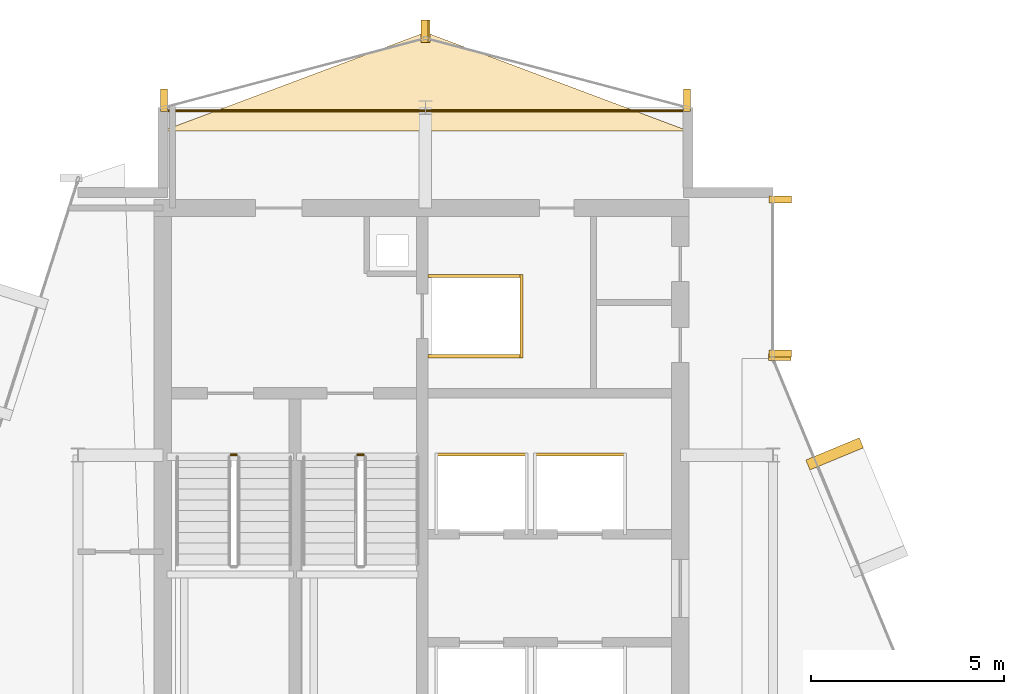
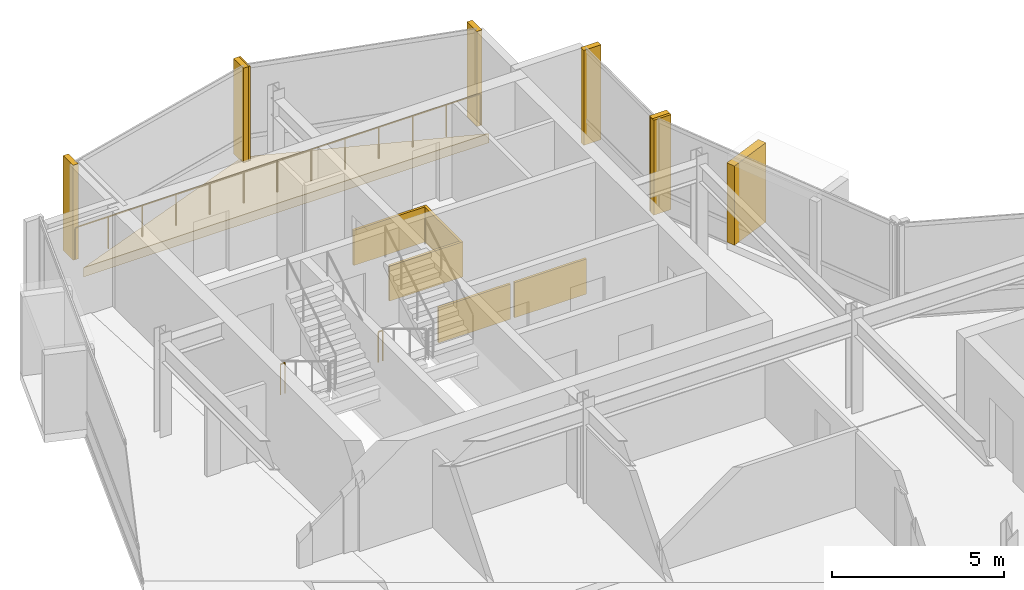
# One storey, part 19 of 19: 14 coverings, 3 railings.
"""IFC4 building model written with IfcOpenShell, lengths in metres."""

import ifcopenshell
import ifcopenshell.guid

model = None  # the IFC model being written
_history = None  # IfcOwnerHistory: only IFC2X3 demands one
_inside = {}  # id of a spatial element -> (the spatial element, [elements in it])
_under = {}  # id of a project, library or spatial element -> (it, [spatial elements below it])
_declared = {}  # id of a project -> (the project, [libraries it declares])
_typed = {}  # id of a type object -> (the type object, [elements of that type])
_made_of = {}  # id of a material, layer set ... -> (it, [elements and type objects made of it])


def new_model(schema):
    """Start an empty IFC model of exactly this schema.

    Asked for "IFC4X3", IfcOpenShell would pick the latest addendum, in which some entities
    have other attributes; the version numbers below select the first issue.
    IFC2X3 requires an IfcOwnerHistory on every rooted entity: one is made here for all.
    """
    global model, _history
    if schema == "IFC4X3":
        model = ifcopenshell.file(schema_version=(4, 3, 0, 0))
    else:
        model = ifcopenshell.file(schema=schema)
    _inside.clear()
    _under.clear()
    _declared.clear()
    _typed.clear()
    _made_of.clear()
    _history = None
    if model.schema == "IFC2X3":
        org = make("IfcOrganization", Name="unknown")
        user = make(
            "IfcPersonAndOrganization",
            ThePerson=make("IfcPerson", FamilyName="unknown"),
            TheOrganization=org,
        )
        app = make(
            "IfcApplication",
            ApplicationDeveloper=org,
            Version="unknown",
            ApplicationFullName="unknown",
            ApplicationIdentifier="unknown",
        )
        _history = make(
            "IfcOwnerHistory",
            OwningUser=user,
            OwningApplication=app,
            ChangeAction="ADDED",
            CreationDate=0,
        )
    return model


def make(cls, **values):
    """One entity of the class cls with the attributes given. An attribute that is None is left unset."""
    return model.create_entity(
        cls, **{name: value for name, value in values.items() if value is not None}
    )


def rooted(cls, **values):
    """An entity with a GlobalId (a new one), such as an element, a storey or a relation."""
    return make(cls, GlobalId=ifcopenshell.guid.new(), OwnerHistory=_history, **values)


def si_unit(unit_type, name, prefix=None):
    """IfcSIUnit, for example si_unit("LENGTHUNIT", "METRE", prefix="MILLI")."""
    return make("IfcSIUnit", UnitType=unit_type, Prefix=prefix, Name=name)


def assignment(units):
    """IfcUnitAssignment: the units of a project."""
    return None if units is None else make("IfcUnitAssignment", Units=units)


def point(xyz):
    """IfcCartesianPoint."""
    return None if xyz is None else make("IfcCartesianPoint", Coordinates=xyz)


def direction(xyz):
    """IfcDirection."""
    return None if xyz is None else make("IfcDirection", DirectionRatios=xyz)


def frame(location, z_axis=None, x_axis=None):
    """IfcAxis2Placement3D, a coordinate frame: its origin and axes. An axis left out is left unset."""
    return make(
        "IfcAxis2Placement3D",
        Location=point(location),
        Axis=direction(z_axis),
        RefDirection=direction(x_axis),
    )


def frame_2d(location, x_axis=None):
    """IfcAxis2Placement2D, a coordinate frame in the plane: its origin and x axis."""
    return make(
        "IfcAxis2Placement2D", Location=point(location), RefDirection=direction(x_axis)
    )


def origin():
    """The frame at (0, 0, 0) with its axes left unset."""
    return frame((0.0, 0.0, 0.0))


def origin_2d():
    """The frame at (0, 0) in the plane with its x axis left unset."""
    return frame_2d((0.0, 0.0))


def place(relative_to, where):
    """IfcLocalPlacement: puts the frame where relative to a parent placement (None: the world)."""
    return make(
        "IfcLocalPlacement", PlacementRelTo=relative_to, RelativePlacement=where
    )


def context(
    kind, dimensions, precision=None, world=None, true_north=None, identifier=None
):
    """IfcGeometricRepresentationContext, for example the 3D "Model" context."""
    return make(
        "IfcGeometricRepresentationContext",
        ContextIdentifier=identifier,
        ContextType=kind,
        CoordinateSpaceDimension=dimensions,
        Precision=precision,
        WorldCoordinateSystem=world,
        TrueNorth=true_north,
    )


def subcontext(parent, identifier, kind, view, scale=None):
    """IfcGeometricRepresentationSubContext, for example "Body" below "Model"."""
    return make(
        "IfcGeometricRepresentationSubContext",
        ContextIdentifier=identifier,
        ContextType=kind,
        ParentContext=parent,
        TargetScale=scale,
        TargetView=view,
    )


def project(units=None, contexts=None):
    """IfcProject with its units and contexts."""
    return rooted(
        "IfcProject",
        Name="project",
        RepresentationContexts=contexts,
        UnitsInContext=assignment(units),
    )


def spatial(cls, under=None, at=None, **own):
    """A site, building, storey or space (cls), placed at a placement, below another one or the project."""
    s = rooted(cls, ObjectPlacement=at, **own)
    if under is not None:
        _under.setdefault(under.id(), (under, []))[1].append(s)
    return s


def polyline(points):
    """IfcPolyline through the points."""
    return make("IfcPolyline", Points=[point(p) for p in points])


def profile(cls, at=None, kind="AREA", **sizes):
    """A parametric profile (cls). Its sizes go by their IFC names, for example OverallWidth=200.0."""
    return make(cls, ProfileType=kind, Position=at, **sizes)


def rectangle(**sizes):
    """IfcRectangleProfileDef."""
    return profile("IfcRectangleProfileDef", **sizes)


def circle(**sizes):
    """IfcCircleProfileDef."""
    return profile("IfcCircleProfileDef", **sizes)


def outline(outer, holes=None, kind="AREA"):
    """IfcArbitraryClosedProfileDef: a profile drawn as a closed curve; with holes, ...WithVoids."""
    if holes is None:
        return make("IfcArbitraryClosedProfileDef", ProfileType=kind, OuterCurve=outer)
    return make(
        "IfcArbitraryProfileDefWithVoids",
        ProfileType=kind,
        OuterCurve=outer,
        InnerCurves=holes,
    )


def extrude(swept, where, along, depth):
    """IfcExtrudedAreaSolid: the profile swept, set in the frame where, extruded along a direction by depth."""
    return make(
        "IfcExtrudedAreaSolid",
        SweptArea=swept,
        Position=where,
        ExtrudedDirection=direction(along),
        Depth=depth,
    )


def shape(context_of_items, identifier, shape_type, items):
    """IfcShapeRepresentation: the items that make up one representation, for example the "Body"."""
    return make(
        "IfcShapeRepresentation",
        ContextOfItems=context_of_items,
        RepresentationIdentifier=identifier,
        RepresentationType=shape_type,
        Items=items,
    )


def material(Name=None, Category=None):
    """IfcMaterial."""
    return make("IfcMaterial", Name=Name, Category=Category)


def layer(
    of_material, thickness, ventilated=None, Name=None, Category=None, Priority=None
):
    """IfcMaterialLayer: one layer of a wall or slab, of a material (None: an air gap)."""
    return make(
        "IfcMaterialLayer",
        Material=of_material,
        LayerThickness=thickness,
        IsVentilated=ventilated,
        Name=Name,
        Category=Category,
        Priority=Priority,
    )


def layer_set(layers, Name=None):
    """IfcMaterialLayerSet."""
    return make("IfcMaterialLayerSet", MaterialLayers=layers, LayerSetName=Name)


def made_of(thing, what):
    """Note that an element or type object is made of a material, layer set ...; save() writes the relation."""
    if what is not None:
        _made_of.setdefault(what.id(), (what, []))[1].append(thing)
    return thing


def type_object(cls, material=None, **own):
    """A type object (cls), such as IfcWallType, which elements share."""
    return made_of(rooted(cls, **own), material)


def element(
    cls,
    number,
    at=None,
    inside=None,
    cuts=None,
    type_object=None,
    material=None,
    context=None,
    identifier="Body",
    shape_type=None,
    held_by="IfcProductDefinitionShape",
    body=None,
    shapes=None,
    **own,
):
    """One element of the class cls, such as IfcWall. Its Tag is "e" and its number.

    at: its placement. inside: the storey or other place that contains it. cuts: it is an
    opening in that element (IfcRelVoidsElement). A single representation is given by context,
    identifier, shape_type and body (its items); several are given by shapes. held_by: the class
    of the entity that holds the representations. save() writes the other relations.
    """
    e = rooted(cls, Tag="e%d" % number, ObjectPlacement=at, **own)
    if body is not None:
        shapes = [shape(context, identifier, shape_type, body)]
    if shapes is not None:
        e.Representation = make(held_by, Representations=shapes)
    if inside is not None:
        _inside.setdefault(inside.id(), (inside, []))[1].append(e)
    if cuts is not None:
        rooted(
            "IfcRelVoidsElement", RelatingBuildingElement=cuts, RelatedOpeningElement=e
        )
    if type_object is not None:
        _typed.setdefault(type_object.id(), (type_object, []))[1].append(e)
    return made_of(e, material)


def aggregate(whole, parts):
    """IfcRelAggregates: a whole, such as a stair, and the parts it consists of."""
    return rooted("IfcRelAggregates", RelatingObject=whole, RelatedObjects=parts)


def save(model, path):
    """Write the relations noted so far, then the file.

    IfcRelAggregates (storeys below a building ...), IfcRelContainedInSpatialStructure (elements
    in a storey), IfcRelDefinesByType, IfcRelAssociatesMaterial and IfcRelDeclares: one each for
    every whole, place, type object, material and project.
    """
    for whole, parts in _under.values():
        aggregate(whole, parts)
    for where, things in _inside.values():
        rooted(
            "IfcRelContainedInSpatialStructure",
            RelatedElements=things,
            RelatingStructure=where,
        )
    for kind, things in _typed.values():
        rooted("IfcRelDefinesByType", RelatedObjects=things, RelatingType=kind)
    for what, things in _made_of.values():
        rooted("IfcRelAssociatesMaterial", RelatedObjects=things, RelatingMaterial=what)
    for by, libraries in _declared.values():
        rooted("IfcRelDeclares", RelatingContext=by, RelatedDefinitions=libraries)
    model.write(path)


model = new_model("IFC4")

# Units and contexts
model_context = context("Model", 3, precision=1e-05, world=origin(), true_north=direction((0.0, 1.0)))
body_context = subcontext(model_context, "Body", "Model", "MODEL_VIEW")
ifc_project = project(units=[si_unit("LENGTHUNIT", "METRE"), si_unit("AREAUNIT", "SQUARE_METRE"), si_unit("VOLUMEUNIT", "CUBIC_METRE"), si_unit("PLANEANGLEUNIT", "RADIAN"), si_unit("MASSUNIT", "GRAM", prefix="KILO")], contexts=[model_context])

# Site, building, storey
site_placement = place(None, origin())
site = spatial("IfcSite", under=ifc_project, at=site_placement, CompositionType="ELEMENT")
building_placement = place(site_placement, origin())
building = spatial("IfcBuilding", under=site, at=building_placement, Name="Solvaryn Broadcast Tower", CompositionType="ELEMENT")
storey_placement = place(building_placement, frame((0.0, 0.0, 293.699951171875)))
storey = spatial("IfcBuildingStorey", under=building, at=storey_placement, Name="L74", CompositionType="ELEMENT", Elevation=293.699951171875)

# Coverings
ifc_material_1 = material(Name="Fire-Rated Gypsum Shaftwall Liner", Category="concrete")
ifc_layer_1 = layer(ifc_material_1, 0.080078125)
ifc_layer_set_1 = layer_set([ifc_layer_1], Name="CV-SHAFT-LINER")
covering_type_1 = type_object("IfcCoveringType", Name="CV-SHAFT-LINER", PredefinedType="CLADDING", material=ifc_layer_set_1)
for number, where, z_axis, x_axis, name in (
    (1, (19.300048828125, 40.639892578125, 0.0), (0.0, 0.0, 1.0), (1.0, 0.0, 0.0), "L74 FL1 Hoistway Shaft Liner North"),
    (2, (19.300048828125, 38.56005859375, 0.0), (0.0, 0.0, 1.0), (1.0, 0.0, 0.0), "L74 FL1 Hoistway Shaft Liner South"),
):
    element("IfcCovering", number, at=place(storey_placement, frame(where, z_axis=z_axis, x_axis=x_axis)), inside=storey, type_object=covering_type_1, Name=name, PredefinedType="CLADDING", context=body_context, shape_type="SweptSolid", body=[
        extrude(rectangle(XDim=2.4599609375, YDim=0.080078125, at=origin_2d()), origin(), (0.0, 0.0, 1.0), 1.25),
    ])
covering_1_placement = place(storey_placement, frame((20.489990234375, 39.60009765625, 0.0), z_axis=(0.0, 0.0, 1.0), x_axis=(1.0, 0.0, 0.0)))
element("IfcCovering", 3, at=covering_1_placement, inside=storey, type_object=covering_type_1, Name="L74 FL1 Hoistway Shaft Liner East", PredefinedType="CLADDING", context=body_context, shape_type="SweptSolid", body=[
    extrude(rectangle(XDim=0.080078125, YDim=2.159912109375, at=origin_2d()), origin(), (0.0, 0.0, 1.0), 1.25),
])
for number, where, z_axis, x_axis, name in (
    (4, (19.449951171875, 36.014892578125, 0.0), (0.0, 0.0, 1.0), (1.0, 0.0, 0.0), "L74 PH3 Hoistway Shaft Liner North"),
    (5, (22.0, 36.014892578125, 0.0), (0.0, 0.0, 1.0), (1.0, 0.0, 0.0), "L74 PH4 Hoistway Shaft Liner North"),
):
    element("IfcCovering", number, at=place(storey_placement, frame(where, z_axis=z_axis, x_axis=x_axis)), inside=storey, type_object=covering_type_1, Name=name, PredefinedType="CLADDING", context=body_context, shape_type="SweptSolid", body=[
        extrude(rectangle(XDim=2.409912109375, YDim=0.080078125, at=origin_2d()), origin(), (0.0, 0.0, 1.0), 1.25),
    ])
ifc_material_2 = material(Name="Glazed Architectural Terracotta Rainscreen Cladding", Category="masonry")
ifc_layer_2 = layer(ifc_material_2, 0.280029296875)
ifc_layer_set_2 = layer_set([ifc_layer_2], Name="CV-TC-CLAD")
covering_type_2 = type_object("IfcCoveringType", Name="CV-TC-CLAD", PredefinedType="CLADDING", material=ifc_layer_set_2)
covering_2_placement = place(storey_placement, frame((28.59619140625, 36.031982421875, 0.280029296875), z_axis=(0.0, 0.0, 1.0), x_axis=(-0.382683432365, 0.923879532511, 0.0)))
element("IfcCovering", 6, at=covering_2_placement, inside=storey, type_object=covering_type_2, Name="L74 Projecting Stone Window Box Cheek 5-2", PredefinedType="CLADDING", context=body_context, shape_type="SweptSolid", body=[
    extrude(rectangle(XDim=0.280029296875, YDim=1.5, at=origin_2d()), origin(), (0.0, 0.0, 1.0), 2.81005859375),
])
ifc_material_3 = material(Name="Extruded Architectural Terracotta Fin", Category="masonry")
ifc_layer_3 = layer(ifc_material_3, 0.179931640625)
ifc_layer_set_3 = layer_set([ifc_layer_3], Name="CV-TC-FIN")
covering_type_3 = type_object("IfcCoveringType", Name="CV-TC-FIN", PredefinedType="USERDEFINED", material=ifc_layer_set_3)
for number, where, z_axis, x_axis, name in (
    (7, (27.1875, 42.6201171875, 0.0), (0.0, 0.0, 1.0), (1.0, 0.0, 0.0), "L74 Terracotta Vertical Fin FIN-L74-IV-M00"),
    (8, (27.1875, 38.6298828125, 0.0), (0.0, 0.0, 1.0), (1.0, 0.0, 0.0), "L74 Terracotta Vertical Fin FIN-L74-IV-M01"),
    (9, (27.177978515625, 38.541259765625, 0.0), (0.0, 0.0, 1.0), (1.0, 0.0, 0.0), "L74 Terracotta Vertical Fin FIN-L74-CN2-M01"),
):
    element("IfcCovering", number, at=place(storey_placement, frame(where, z_axis=z_axis, x_axis=x_axis)), inside=storey, type_object=covering_type_3, Name=name, ObjectType="FIN", PredefinedType="USERDEFINED", context=body_context, shape_type="SweptSolid", body=[
        extrude(rectangle(XDim=0.580078125, YDim=0.179931640625, at=origin_2d()), origin(), (0.0, 0.0, 1.0), 3.3701171875),
    ])
for number, where, z_axis, x_axis, name in (
    (10, (24.77099609375, 45.1953125, 0.0), (0.0, 0.0, 1.0), (1.0, 0.0, 0.0), "L74 Terracotta Vertical Fin FIN-L74-NT1-M00"),
    (11, (18.029052734375, 46.979736328125, 0.0), (0.0, 0.0, 1.0), (1.0, 0.0, 0.0), "L74 Terracotta Vertical Fin FIN-L74-NT1-M01"),
    (12, (17.970947265625, 46.979736328125, 0.0), (0.0, 0.0, 1.0), (1.0, 0.0, 0.0), "L74 Terracotta Vertical Fin FIN-L74-NT2-M00"),
    (13, (11.22900390625, 45.1953125, 0.0), (0.0, 0.0, 1.0), (1.0, 0.0, 0.0), "L74 Terracotta Vertical Fin FIN-L74-NT2-M01"),
):
    element("IfcCovering", number, at=place(storey_placement, frame(where, z_axis=z_axis, x_axis=x_axis)), inside=storey, type_object=covering_type_3, Name=name, ObjectType="FIN", PredefinedType="USERDEFINED", context=body_context, shape_type="SweptSolid", body=[
        extrude(rectangle(XDim=0.179931640625, YDim=0.580078125, at=origin_2d()), origin(), (0.0, 0.0, 1.0), 3.3701171875),
    ])
ifc_material_4 = material(Name="Sculpted Architectural Terracotta Wave Fascia", Category="masonry")
ifc_layer_4 = layer(ifc_material_4, 0.340087890625)
ifc_layer_set_4 = layer_set([ifc_layer_4], Name="CV-WAVE-TRAY")
covering_type_4 = type_object("IfcCoveringType", Name="CV-WAVE-TRAY", PredefinedType="CLADDING", material=ifc_layer_set_4)
covering_3_placement = place(storey_placement, frame((0.0, 0.0, -0.300048828125)))
element("IfcCovering", 14, at=covering_3_placement, inside=storey, type_object=covering_type_4, Name="L74 North Curved Wing Deck", PredefinedType="CLADDING", context=body_context, shape_type="SweptSolid", body=[
    extrude(outline(polyline([(11.199951171875, 44.39990234375), (24.800048828125, 44.39990234375), (18.0, 46.949951171875), (11.199951171875, 44.39990234375)])), origin(), (0.0, 0.0, 1.0), 0.330078125),
])

# Railings
ifc_material_5 = material(Name="Painted Steel Stair Well Guard", Category="steel")
railing_type_1 = type_object("IfcRailingType", Name="RL-STAIR-GUARD", PredefinedType="BALUSTRADE", material=ifc_material_5)
railing_1_placement = place(storey_placement, frame((12.9599609375, 36.010009765625, 0.0)))
element("IfcRailing", 15, at=railing_1_placement, inside=storey, type_object=railing_type_1, Name="L74 ST1 stair guard 4", PredefinedType="BALUSTRADE", context=body_context, shape_type="SweptSolid", body=[
    extrude(circle(Radius=0.02392578125, at=origin_2d()), frame((0.0, 0.0, 1.076171875), z_axis=(1.0, 0.0, 0.0), x_axis=(0.0, 1.0, 0.0)), (0.0, 0.0, 1.0), 0.150146484375),
    extrude(circle(Radius=0.02099609375, at=origin_2d()), origin(), (0.0, 0.0, 1.0), 1.052001953125),
    extrude(circle(Radius=0.02099609375, at=origin_2d()), frame((0.150146484375, 0.0, 0.0)), (0.0, 0.0, 1.0), 1.052001953125),
])
railing_2_placement = place(storey_placement, frame((16.239990234375, 36.010009765625, 0.0)))
element("IfcRailing", 16, at=railing_2_placement, inside=storey, type_object=railing_type_1, Name="L74 ST2 stair guard 4", PredefinedType="BALUSTRADE", context=body_context, shape_type="SweptSolid", body=[
    extrude(circle(Radius=0.02392578125, at=origin_2d()), frame((0.0, 0.0, 1.076171875), z_axis=(1.0, 0.0, 0.0), x_axis=(0.0, 1.0, 0.0)), (0.0, 0.0, 1.0), 0.14990234375),
    extrude(circle(Radius=0.02099609375, at=origin_2d()), origin(), (0.0, 0.0, 1.0), 1.052001953125),
    extrude(circle(Radius=0.02099609375, at=origin_2d()), frame((0.14990234375, 0.0, 0.0)), (0.0, 0.0, 1.0), 1.052001953125),
])
ifc_material_6 = material(Name="Stainless Steel and Laminated Glass Guard", Category="steel")
railing_type_2 = type_object("IfcRailingType", Name="RL-TER-1150", PredefinedType="BALUSTRADE", material=ifc_material_6)
railing_3_placement = place(storey_placement, frame((11.199951171875, 44.919921875, 0.0)))
element("IfcRailing", 17, at=railing_3_placement, inside=storey, type_object=railing_type_2, Name="L74 North Wing Spandrel Edge Guard", PredefinedType="BALUSTRADE", context=body_context, shape_type="SweptSolid", body=[
    extrude(circle(Radius=0.02392578125, at=origin_2d()), frame((0.0, 0.0, 1.1259765625), z_axis=(1.0, 0.0, 0.0), x_axis=(0.0, 1.0, 0.0)), (0.0, 0.0, 1.0), 13.60009765625),
    extrude(circle(Radius=0.02099609375, at=origin_2d()), origin(), (0.0, 0.0, 1.0), 1.101806640625),
    extrude(circle(Radius=0.02099609375, at=origin_2d()), frame((1.13330078125, 0.0, 0.0)), (0.0, 0.0, 1.0), 1.101806640625),
    extrude(circle(Radius=0.02099609375, at=origin_2d()), frame((2.2666015625, 0.0, 0.0)), (0.0, 0.0, 1.0), 1.101806640625),
    extrude(circle(Radius=0.02099609375, at=origin_2d()), frame((3.39990234375, 0.0, 0.0)), (0.0, 0.0, 1.0), 1.101806640625),
    extrude(circle(Radius=0.02099609375, at=origin_2d()), frame((4.533447265625, 0.0, 0.0)), (0.0, 0.0, 1.0), 1.101806640625),
    extrude(circle(Radius=0.02099609375, at=origin_2d()), frame((5.666748046875, 0.0, 0.0)), (0.0, 0.0, 1.0), 1.101806640625),
    extrude(circle(Radius=0.02099609375, at=origin_2d()), frame((6.800048828125, 0.0, 0.0)), (0.0, 0.0, 1.0), 1.101806640625),
    extrude(circle(Radius=0.02099609375, at=origin_2d()), frame((7.933349609375, 0.0, 0.0)), (0.0, 0.0, 1.0), 1.101806640625),
    extrude(circle(Radius=0.02099609375, at=origin_2d()), frame((9.066650390625, 0.0, 0.0)), (0.0, 0.0, 1.0), 1.101806640625),
    extrude(circle(Radius=0.02099609375, at=origin_2d()), frame((10.2001953125, 0.0, 0.0)), (0.0, 0.0, 1.0), 1.101806640625),
    extrude(circle(Radius=0.02099609375, at=origin_2d()), frame((11.33349609375, 0.0, 0.0)), (0.0, 0.0, 1.0), 1.101806640625),
    extrude(circle(Radius=0.02099609375, at=origin_2d()), frame((12.466796875, 0.0, 0.0)), (0.0, 0.0, 1.0), 1.101806640625),
    extrude(circle(Radius=0.02099609375, at=origin_2d()), frame((13.60009765625, 0.0, 0.0)), (0.0, 0.0, 1.0), 1.101806640625),
])

save(model, "model.ifc")
